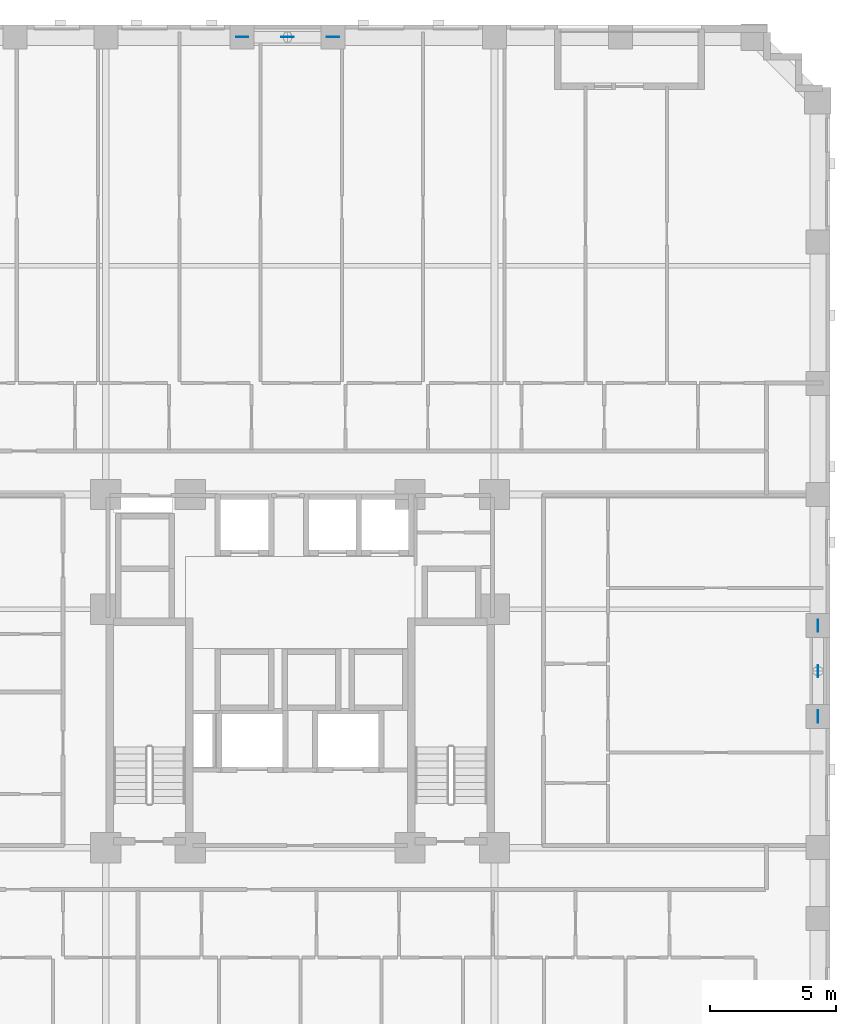
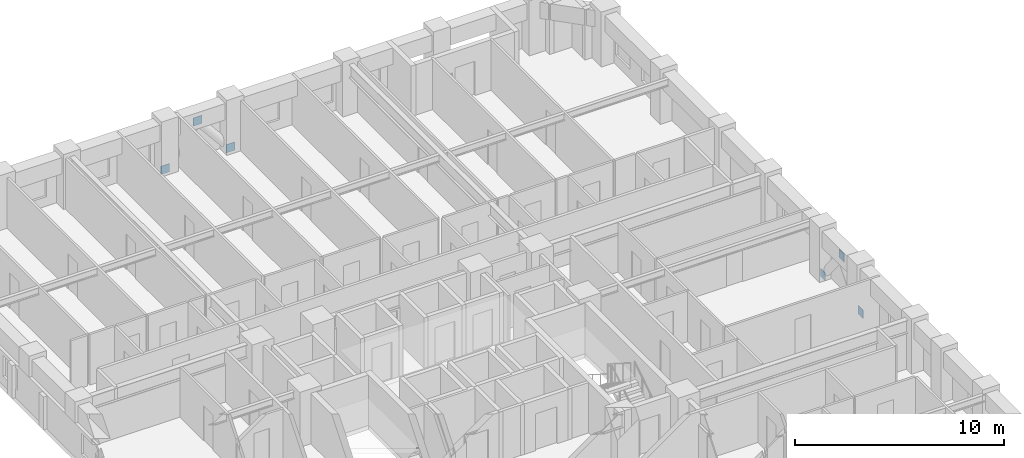
# One storey, part 11 of 14: 6 discrete accessories.
"""IFC4 building model written with IfcOpenShell, lengths in metres."""

from ifc_helpers import new_model, si_unit, derived_unit, direction, frame, origin, origin_2d, place, context, subcontext, project, spatial, rectangle, extrude, material, layer, layer_set, type_object, element, save


model = new_model("IFC4")

# Units and contexts
model_context = context("Model", 3, precision=1e-05, world=origin(), true_north=direction((0.0, 1.0)))
body_context = subcontext(model_context, "Body", "Model", "MODEL_VIEW")
ifc_project = project(units=[si_unit("LENGTHUNIT", "METRE"), si_unit("AREAUNIT", "SQUARE_METRE"), si_unit("VOLUMEUNIT", "CUBIC_METRE"), si_unit("PLANEANGLEUNIT", "RADIAN"), si_unit("MASSUNIT", "GRAM", prefix="KILO"), derived_unit("THERMALTRANSMITTANCEUNIT", [(si_unit("MASSUNIT", "GRAM", prefix="KILO"), 1), (si_unit("TIMEUNIT", "SECOND"), -3), (si_unit("THERMODYNAMICTEMPERATUREUNIT", "KELVIN"), -1)])], contexts=[model_context])

# Site, building, storey
site_placement = place(None, origin())
site = spatial("IfcSite", under=ifc_project, at=site_placement, CompositionType="ELEMENT")
building_placement = place(site_placement, origin())
building = spatial("IfcBuilding", under=site, at=building_placement, Name="Korrvale Station Residences", CompositionType="ELEMENT")
storey_placement = place(building_placement, frame((0.0, 0.0, 41.800048828125)))
storey = spatial("IfcBuildingStorey", under=building, at=storey_placement, Name="L10", CompositionType="ELEMENT", Elevation=41.800048828125)

# Discrete accessories
ifc_material = material(Name="Steel S355", Category="steel")
ifc_layer = layer(ifc_material, 0.02490234375, Name="Steel S355")
ifc_layer_set = layer_set([ifc_layer], Name="Steel S355")
discrete_accessory_type = type_object("IfcDiscreteAccessoryType", Name="ACC-GUSSET-25", PredefinedType="BRACKET", material=ifc_layer_set)
for number, where, z_axis, x_axis, name in (
    (1, (23.199951171875, 47.1201171875, -0.219970703125), (0.0, 0.0, 1.0), (1.0, 0.0, 0.0), "L10 N Brace End Gusset Connection A"),
    (2, (26.800048828125, 47.1201171875, -0.219970703125), (0.0, 0.0, 1.0), (1.0, 0.0, 0.0), "L10 N Brace End Gusset Connection B"),
    (3, (25.0, 47.1201171875, 1.969970703125), (0.0, 0.0, 1.0), (1.0, 0.0, 0.0), "L10 N Brace End Gusset Connection M"),
    (4, (46.02001953125, 20.199951171875, -0.219970703125), (0.0, 0.0, 1.0), (0.0, 1.0, 0.0), "L10 E Brace End Gusset Connection A"),
    (5, (46.02001953125, 23.800048828125, -0.219970703125), (0.0, 0.0, 1.0), (0.0, 1.0, 0.0), "L10 E Brace End Gusset Connection B"),
    (6, (46.02001953125, 22.0, 1.969970703125), (0.0, 0.0, 1.0), (0.0, 1.0, 0.0), "L10 E Brace End Gusset Connection M"),
):
    element("IfcDiscreteAccessory", number, at=place(storey_placement, frame(where, z_axis=z_axis, x_axis=x_axis)), inside=storey, type_object=discrete_accessory_type, Name=name, PredefinedType="BRACKET", context=body_context, shape_type="SweptSolid", body=[
        extrude(rectangle(XDim=0.47998046875, YDim=0.02490234375, at=origin_2d()), origin(), (0.0, 0.0, 1.0), 0.47998046875),
    ])

save(model, "model.ifc")
